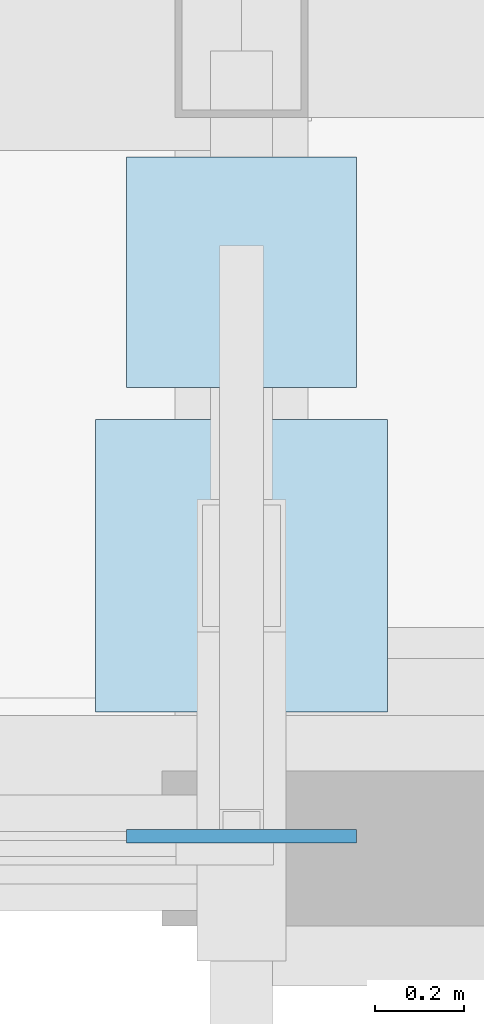
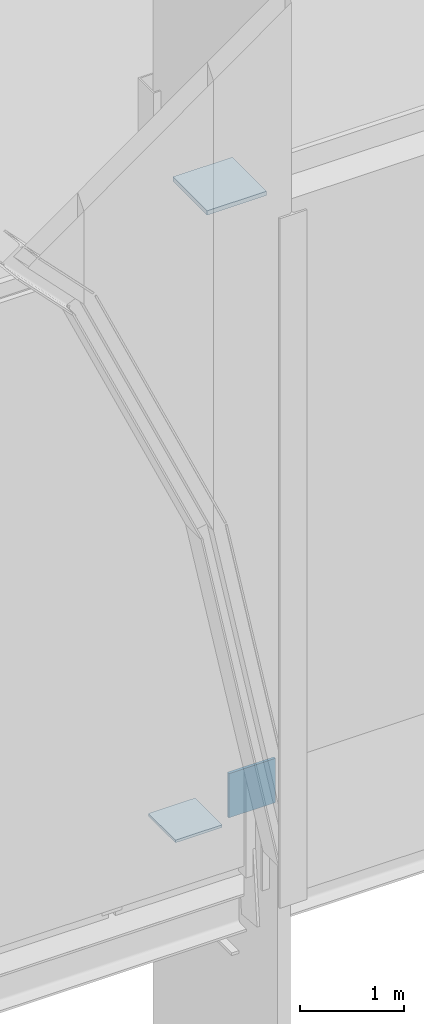
# One storey, part 47 of 79: 3 plates.
"""IFC4 building model written with IfcOpenShell, lengths in metres."""

from ifc_helpers import new_model, si_unit, direction, frame, origin, origin_2d, place, context, subcontext, project, spatial, rectangle, extrude, material, layer, layer_set, type_object, element, save


model = new_model("IFC4")

# Units and contexts
model_context = context("Model", 3, precision=1e-05, world=origin(), true_north=direction((0.0, 1.0)))
body_context = subcontext(model_context, "Body", "Model", "MODEL_VIEW")
ifc_project = project(units=[si_unit("LENGTHUNIT", "METRE"), si_unit("AREAUNIT", "SQUARE_METRE"), si_unit("VOLUMEUNIT", "CUBIC_METRE"), si_unit("PLANEANGLEUNIT", "RADIAN"), si_unit("MASSUNIT", "GRAM", prefix="KILO")], contexts=[model_context])

# Site, building, storey
site_placement = place(None, origin())
site = spatial("IfcSite", under=ifc_project, at=site_placement, CompositionType="ELEMENT")
building_placement = place(site_placement, origin())
building = spatial("IfcBuilding", under=site, at=building_placement, Name="Zereglee Splitstone Museum", CompositionType="ELEMENT")
storey_placement = place(building_placement, frame((0.0, 0.0, 9.0)))
storey = spatial("IfcBuildingStorey", under=building, at=storey_placement, Name="L02", CompositionType="ELEMENT", Elevation=9.0)

# Plates
ifc_material = material(Name="Steel S355J2", Category="steel")
ifc_layer_1 = layer(ifc_material, 0.030029296875)
ifc_layer_set_1 = layer_set([ifc_layer_1], Name="Steel S355J2")
plate_type_1 = type_object("IfcPlateType", Name="NP-04", PredefinedType="SHEET", material=ifc_layer_set_1)
plate_1_placement = place(storey_placement, frame((126.0, 9.10009765625, -0.294921875), z_axis=(0.0, 0.0, 1.0), x_axis=(1.0, 0.0, 0.0)))
element("IfcPlate", 1, at=plate_1_placement, inside=storey, type_object=plate_type_1, Name="Facet Tie Seal Plate FH-V2SE", PredefinedType="SHEET", context=body_context, shape_type="SweptSolid", body=[
    extrude(rectangle(XDim=0.52001953125, YDim=0.52001953125, at=origin_2d()), origin(), (0.0, 0.0, 1.0), 0.030029296875),
])
plate_2_placement = place(storey_placement, frame((126.0, 7.827392578125, 0.619873046875), z_axis=(0.0, 0.0, 1.0), x_axis=(1.0, 0.0, 0.0)))
element("IfcPlate", 2, at=plate_2_placement, inside=storey, type_object=plate_type_1, Name="Facet Tie Seal Plate FH-V2SE", PredefinedType="SHEET", context=body_context, shape_type="SweptSolid", body=[
    extrude(rectangle(XDim=0.52001953125, YDim=0.030029296875, at=origin_2d()), origin(), (0.0, 0.0, 1.0), 0.52001953125),
])
ifc_layer_2 = layer(ifc_material, 0.050048828125)
ifc_layer_set_2 = layer_set([ifc_layer_2], Name="Steel S355J2")
plate_type_2 = type_object("IfcPlateType", Name="NP-02", PredefinedType="SHEET", material=ifc_layer_set_2)
plate_3_placement = place(storey_placement, frame((126.0, 8.43798828125, 7.544921875), z_axis=(0.0, 0.0, 1.0), x_axis=(1.0, 0.0, 0.0)))
element("IfcPlate", 3, at=plate_3_placement, inside=storey, type_object=plate_type_2, Name="Facet Strut Seal Plate FH-V2SE", PredefinedType="SHEET", context=body_context, shape_type="SweptSolid", body=[
    extrude(rectangle(XDim=0.659912109375, YDim=0.659912109375, at=origin_2d()), origin(), (0.0, 0.0, 1.0), 0.050048828125),
])

save(model, "model.ifc")
